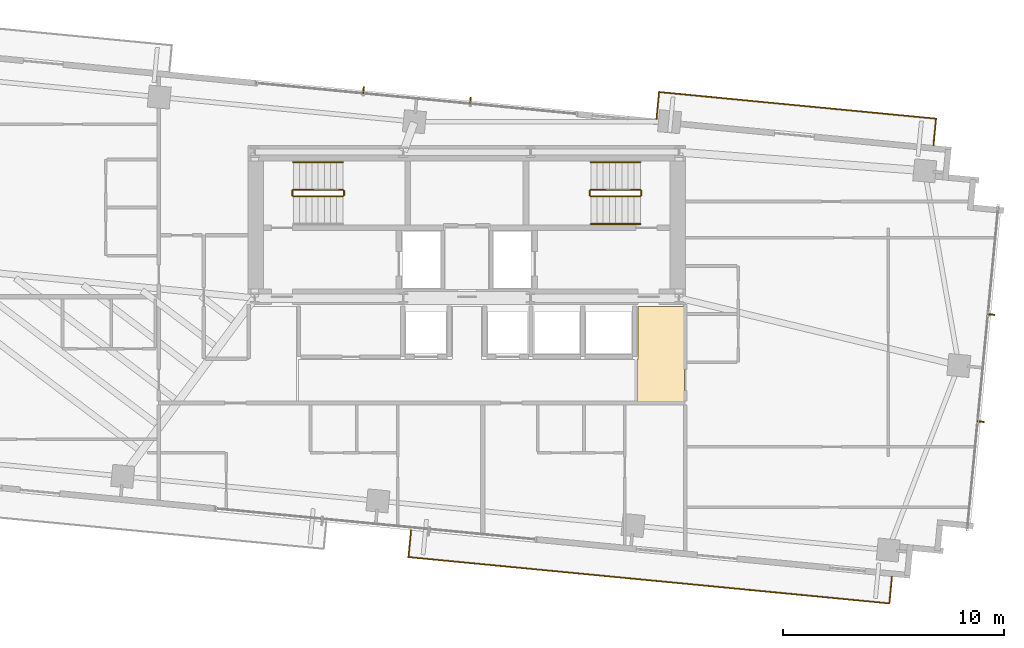
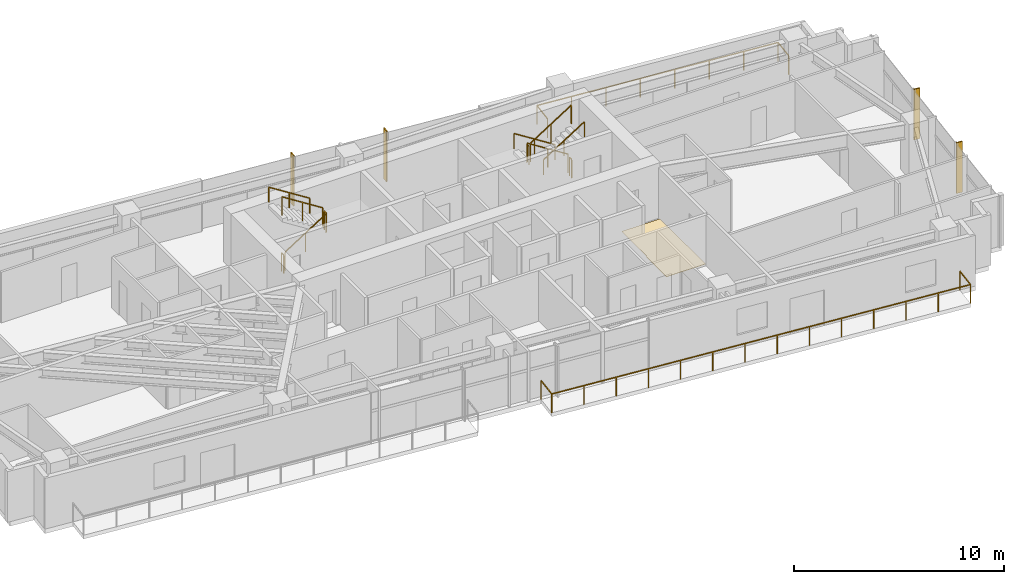
# One storey, part 20 of 20: 13 railings, 4 shading devices, 1 covering.
"""IFC4 building model written with IfcOpenShell, lengths in metres."""

from ifc_helpers import new_model, si_unit, direction, frame, origin, origin_2d, place, context, subcontext, project, spatial, polyline, rectangle, outline, extrude, source, transform, mapped, material, layer, layer_set, type_object, type_shapes, element, save


model = new_model("IFC4")

# Units and contexts
model_context = context("Model", 3, precision=1e-05, world=origin(), true_north=direction((0.0, 1.0)))
body_context = subcontext(model_context, "Body", "Model", "MODEL_VIEW")
ifc_project = project(units=[si_unit("LENGTHUNIT", "METRE"), si_unit("AREAUNIT", "SQUARE_METRE"), si_unit("VOLUMEUNIT", "CUBIC_METRE"), si_unit("PLANEANGLEUNIT", "RADIAN"), si_unit("MASSUNIT", "GRAM", prefix="KILO")], contexts=[model_context])

# Site, building, storey
site_placement = place(None, origin())
site = spatial("IfcSite", under=ifc_project, at=site_placement, CompositionType="ELEMENT")
building_placement = place(site_placement, origin())
building = spatial("IfcBuilding", under=site, at=building_placement, Name="Astriad Promenade Condominiums", CompositionType="ELEMENT")
storey_placement = place(building_placement, frame((0.0, 0.0, 134.199951171875)))
storey = spatial("IfcBuildingStorey", under=building, at=storey_placement, Name="L38", CompositionType="ELEMENT", Elevation=134.199951171875)

# Covering
ifc_material_1 = material(Name="Polished Lakefront Terrazzo Flooring")
ifc_layer = layer(ifc_material_1, 0.02001953125)
ifc_layer_set = layer_set([ifc_layer], Name="Polished Lakefront Terrazzo Flooring")
covering_type = type_object("IfcCoveringType", Name="COV-FLOR-TERRAZZO-20", PredefinedType="FLOORING", material=ifc_layer_set)
covering_placement = place(storey_placement, origin())
element("IfcCovering", 1, at=covering_placement, inside=storey, type_object=covering_type, Name="FLR-L38-COR-1", PredefinedType="FLOORING", context=body_context, shape_type="SweptSolid", body=[
    extrude(outline(polyline([(43.699951171875, 12.68994140625), (43.699951171875, 14.610107421875), (43.703857421875, 14.610107421875), (43.707763671875, 14.61083984375), (43.711669921875, 14.61181640625), (43.71533203125, 14.613037109375), (43.718994140625, 14.61474609375), (43.72216796875, 14.61669921875), (43.725341796875, 14.619140625), (43.728271484375, 14.62158203125), (43.73095703125, 14.62451171875), (43.7333984375, 14.627685546875), (43.7353515625, 14.631103515625), (43.737060546875, 14.634765625), (43.73828125, 14.638427734375), (43.7392578125, 14.64208984375), (43.73974609375, 14.64599609375), (43.739990234375, 14.64990234375), (43.739990234375, 17.010009765625), (45.840087890625, 17.010009765625), (45.840087890625, 12.68994140625), (43.699951171875, 12.68994140625)])), origin(), (0.0, 0.0, 1.0), 0.02001953125),
])

# Shading devices
ifc_material_2 = material(Name="Anodised aluminium 6063-T6 Black Fin", Category="aluminium")
shading_device_type = type_object("IfcShadingDeviceType", Name="FIN-BLACK-260", PredefinedType="USERDEFINED", material=ifc_material_2)
shared_shape_1 = source(origin(), body_context, "Body", "SweptSolid", [
    extrude(rectangle(XDim=0.06494140625, YDim=0.320068359375, at=origin_2d()), origin(), (0.0, 0.0, 1.0), 2.93994140625),
])
type_shapes(shading_device_type, [shared_shape_1])
for number, where, z_axis, x_axis, name in (
    (2, (31.3212890625, 26.7978515625, 0.0), (0.0, 0.0, 1.0), (0.995396198367, -0.09584575252, 0.0), "CW-L38-N-FIN-01"),
    (3, (36.1591796875, 26.331787109375, 0.0), (0.0, 0.0, 1.0), (0.995396198367, -0.09584575252, 0.0), "CW-L38-N-FIN-02"),
    (4, (59.7197265625, 16.652587890625, 0.0), (0.0, 0.0, 1.0), (-0.09584575252, -0.995396198367, 0.0), "CW-L38-E-FIN-01"),
    (5, (59.25341796875, 11.808349609375, 0.0), (0.0, 0.0, 1.0), (-0.09584575252, -0.995396198367, 0.0), "CW-L38-E-FIN-02"),
):
    element("IfcShadingDevice", number, at=place(storey_placement, frame(where, z_axis=z_axis, x_axis=x_axis)), inside=storey, type_object=shading_device_type, Name=name, ObjectType="FIN", PredefinedType="USERDEFINED", context=body_context, shape_type="MappedRepresentation", body=[
        mapped(shared_shape_1, transform((0.0, 0.0, 0.0), scale=1.0)),
    ])

# Railings
ifc_material_3 = material(Name="Laminated Glass and Stainless Steel Balustrade", Category="steel")
railing_type_1 = type_object("IfcRailingType", Name="GRD-BALC-1120", PredefinedType="BALUSTRADE", material=ifc_material_3)
shared_shape_2 = source(origin(), body_context, "Body", "SweptSolid", [
    extrude(rectangle(XDim=0.048095703125, YDim=0.048095703125, at=origin_2d()), frame((0.0, 0.0, 1.09619140625), z_axis=(-0.095876405589, -0.995393246336, 0.0), x_axis=(0.995393246336, -0.095876405589, 0.0)), (0.0, 0.0, 1.0), 1.2197265625),
    extrude(rectangle(XDim=0.048095703125, YDim=0.048095703125, at=origin_2d()), frame((-0.116943359375, -1.214111328125, 1.09619140625), z_axis=(0.995395415331, -0.095853884316, 0.0), x_axis=(0.095853884316, 0.995395415331, 0.0)), (0.0, 0.0, 1.0), 21.865966796875),
    extrude(rectangle(XDim=0.048095703125, YDim=0.048095703125, at=origin_2d()), frame((21.6484375, -3.31005859375, 1.09619140625), z_axis=(0.095857307208, 0.99539508571, 0.0), x_axis=(-0.99539508571, 0.095857307208, 0.0)), (0.0, 0.0, 1.0), 1.219970703125),
    extrude(rectangle(XDim=0.0419921875, YDim=0.0419921875, at=origin_2d()), origin(), (0.0, 0.0, 1.0), 1.072021484375),
    extrude(rectangle(XDim=0.0419921875, YDim=0.0419921875, at=origin_2d()), frame((-0.116943359375, -1.214111328125, 0.0)), (0.0, 0.0, 1.0), 1.072021484375),
    extrude(rectangle(XDim=0.0419921875, YDim=0.0419921875, at=origin_2d()), frame((1.557373046875, -1.375244140625, 0.0)), (0.0, 0.0, 1.0), 1.072021484375),
    extrude(rectangle(XDim=0.0419921875, YDim=0.0419921875, at=origin_2d()), frame((3.231689453125, -1.53662109375, 0.0)), (0.0, 0.0, 1.0), 1.072021484375),
    extrude(rectangle(XDim=0.0419921875, YDim=0.0419921875, at=origin_2d()), frame((4.90576171875, -1.69775390625, 0.0)), (0.0, 0.0, 1.0), 1.072021484375),
    extrude(rectangle(XDim=0.0419921875, YDim=0.0419921875, at=origin_2d()), frame((6.580078125, -1.859130859375, 0.0)), (0.0, 0.0, 1.0), 1.072021484375),
    extrude(rectangle(XDim=0.0419921875, YDim=0.0419921875, at=origin_2d()), frame((8.25439453125, -2.020263671875, 0.0)), (0.0, 0.0, 1.0), 1.072021484375),
    extrude(rectangle(XDim=0.0419921875, YDim=0.0419921875, at=origin_2d()), frame((9.9287109375, -2.181396484375, 0.0)), (0.0, 0.0, 1.0), 1.072021484375),
    extrude(rectangle(XDim=0.0419921875, YDim=0.0419921875, at=origin_2d()), frame((11.602783203125, -2.3427734375, 0.0)), (0.0, 0.0, 1.0), 1.072021484375),
    extrude(rectangle(XDim=0.0419921875, YDim=0.0419921875, at=origin_2d()), frame((13.277099609375, -2.50390625, 0.0)), (0.0, 0.0, 1.0), 1.072021484375),
    extrude(rectangle(XDim=0.0419921875, YDim=0.0419921875, at=origin_2d()), frame((14.951416015625, -2.6650390625, 0.0)), (0.0, 0.0, 1.0), 1.072021484375),
    extrude(rectangle(XDim=0.0419921875, YDim=0.0419921875, at=origin_2d()), frame((16.625732421875, -2.826416015625, 0.0)), (0.0, 0.0, 1.0), 1.072021484375),
    extrude(rectangle(XDim=0.0419921875, YDim=0.0419921875, at=origin_2d()), frame((18.2998046875, -2.987548828125, 0.0)), (0.0, 0.0, 1.0), 1.072021484375),
    extrude(rectangle(XDim=0.0419921875, YDim=0.0419921875, at=origin_2d()), frame((19.97412109375, -3.14892578125, 0.0)), (0.0, 0.0, 1.0), 1.072021484375),
    extrude(rectangle(XDim=0.0419921875, YDim=0.0419921875, at=origin_2d()), frame((21.6484375, -3.31005859375, 0.0)), (0.0, 0.0, 1.0), 1.072021484375),
    extrude(rectangle(XDim=0.0419921875, YDim=0.0419921875, at=origin_2d()), frame((21.765380859375, -2.095703125, 0.0)), (0.0, 0.0, 1.0), 1.072021484375),
])
railing_1_placement = place(storey_placement, frame((33.47119140625, 6.889892578125, 0.0)))
element("IfcRailing", 6, at=railing_1_placement, inside=storey, type_object=railing_type_1, Name="GRD-BALC-L38-SE", PredefinedType="BALUSTRADE", context=body_context, shape_type="MappedRepresentation", body=[
    mapped(shared_shape_2, transform((0.0, 0.0, 0.0), scale=1.0)),
])
shared_shape_3 = source(origin(), body_context, "Body", "SweptSolid", [
    extrude(rectangle(XDim=0.048095703125, YDim=0.048095703125, at=origin_2d()), frame((0.0, 0.0, 1.09619140625), z_axis=(0.095857307208, 0.99539508571, 0.0), x_axis=(-0.99539508571, 0.095857307208, 0.0)), (0.0, 0.0, 1.0), 1.219970703125),
    extrude(rectangle(XDim=0.048095703125, YDim=0.048095703125, at=origin_2d()), frame((0.116943359375, 1.21435546875, 1.09619140625), z_axis=(-0.995394811268, 0.095860157002, 0.0), x_axis=(-0.095860157002, -0.995394811268, 0.0)), (0.0, 0.0, 1.0), 12.59423828125),
    extrude(rectangle(XDim=0.048095703125, YDim=0.048095703125, at=origin_2d()), frame((-12.419189453125, 2.421630859375, 1.09619140625), z_axis=(-0.0958382164, -0.995396923984, 0.0), x_axis=(0.995396923984, -0.0958382164, 0.0)), (0.0, 0.0, 1.0), 1.22021484375),
    extrude(rectangle(XDim=0.0419921875, YDim=0.0419921875, at=origin_2d()), origin(), (0.0, 0.0, 1.0), 1.072021484375),
    extrude(rectangle(XDim=0.0419921875, YDim=0.0419921875, at=origin_2d()), frame((0.116943359375, 1.21435546875, 0.0)), (0.0, 0.0, 1.0), 1.072021484375),
    extrude(rectangle(XDim=0.0419921875, YDim=0.0419921875, at=origin_2d()), frame((-1.673828125, 1.38671875, 0.0)), (0.0, 0.0, 1.0), 1.072021484375),
    extrude(rectangle(XDim=0.0419921875, YDim=0.0419921875, at=origin_2d()), frame((-3.46484375, 1.559326171875, 0.0)), (0.0, 0.0, 1.0), 1.072021484375),
    extrude(rectangle(XDim=0.0419921875, YDim=0.0419921875, at=origin_2d()), frame((-5.255615234375, 1.731689453125, 0.0)), (0.0, 0.0, 1.0), 1.072021484375),
    extrude(rectangle(XDim=0.0419921875, YDim=0.0419921875, at=origin_2d()), frame((-7.046630859375, 1.904296875, 0.0)), (0.0, 0.0, 1.0), 1.072021484375),
    extrude(rectangle(XDim=0.0419921875, YDim=0.0419921875, at=origin_2d()), frame((-8.83740234375, 2.07666015625, 0.0)), (0.0, 0.0, 1.0), 1.072021484375),
    extrude(rectangle(XDim=0.0419921875, YDim=0.0419921875, at=origin_2d()), frame((-10.62841796875, 2.249267578125, 0.0)), (0.0, 0.0, 1.0), 1.072021484375),
    extrude(rectangle(XDim=0.0419921875, YDim=0.0419921875, at=origin_2d()), frame((-12.419189453125, 2.421630859375, 0.0)), (0.0, 0.0, 1.0), 1.072021484375),
    extrude(rectangle(XDim=0.0419921875, YDim=0.0419921875, at=origin_2d()), frame((-12.5361328125, 1.20703125, 0.0)), (0.0, 0.0, 1.0), 1.072021484375),
])
type_shapes(railing_type_1, [shared_shape_2, shared_shape_3])
railing_2_placement = place(storey_placement, frame((57.115234375, 24.303955078125, 0.0)))
element("IfcRailing", 7, at=railing_2_placement, inside=storey, type_object=railing_type_1, Name="GRD-BALC-L38-NE", PredefinedType="BALUSTRADE", context=body_context, shape_type="MappedRepresentation", body=[
    mapped(shared_shape_3, transform((0.0, 0.0, 0.0), scale=1.0)),
])
ifc_material_4 = material(Name="Painted Galvanised Steel Guardrail", Category="steel")
railing_type_2 = type_object("IfcRailingType", Name="GRD-STAIR-1100", PredefinedType="GUARDRAIL", material=ifc_material_4)
shared_shape_4 = source(origin(), body_context, "Body", "SweptSolid", [
    extrude(rectangle(XDim=0.048095703125, YDim=0.048095703125, at=origin_2d()), frame((0.0, 0.0, 1.076171875), z_axis=(0.0, 1.0, 0.0), x_axis=(-1.0, 0.0, 0.0)), (0.0, 0.0, 1.0), 0.199951171875),
    extrude(rectangle(XDim=0.0419921875, YDim=0.0419921875, at=origin_2d()), origin(), (0.0, 0.0, 1.0), 1.052001953125),
    extrude(rectangle(XDim=0.0419921875, YDim=0.0419921875, at=origin_2d()), frame((0.0, 0.199951171875, 0.0)), (0.0, 0.0, 1.0), 1.052001953125),
])
for number, where, name in (
    (8, (30.43994140625, 22.050048828125, 1.60009765625), "L38 ST-1 stair guard 2"),
    (9, (28.10009765625, 22.050048828125, 0.0), "L38 ST-1 stair guard 4"),
):
    element("IfcRailing", number, at=place(storey_placement, frame(where)), inside=storey, type_object=railing_type_2, Name=name, PredefinedType="GUARDRAIL", context=body_context, shape_type="MappedRepresentation", body=[
        mapped(shared_shape_4, transform((0.0, 0.0, 0.0), scale=1.0)),
    ])
shared_shape_5 = source(origin(), body_context, "Body", "SweptSolid", [
    extrude(rectangle(XDim=0.048095703125, YDim=0.048095703125, at=origin_2d()), frame((0.0, 0.0, 1.076171875), z_axis=(0.84418770128, 0.0, 0.536047689118), x_axis=(0.0, 1.0, 0.0)), (0.0, 0.0, 1.0), 2.6533203125),
    extrude(rectangle(XDim=0.0419921875, YDim=0.0419921875, at=origin_2d()), origin(), (0.0, 0.0, 1.0), 1.052001953125),
    extrude(rectangle(XDim=0.0419921875, YDim=0.0419921875, at=origin_2d()), frame((1.1201171875, 0.0, 0.711181640625)), (0.0, 0.0, 1.0), 1.052001953125),
    extrude(rectangle(XDim=0.0419921875, YDim=0.0419921875, at=origin_2d()), frame((2.239990234375, 0.0, 1.42236328125)), (0.0, 0.0, 1.0), 1.052001953125),
])
railing_3_placement = place(storey_placement, frame((28.14990234375, 22.0, 0.177734375)))
element("IfcRailing", 10, at=railing_3_placement, inside=storey, type_object=railing_type_2, Name="L38 ST-1 stair guard 1", PredefinedType="GUARDRAIL", context=body_context, shape_type="MappedRepresentation", body=[
    mapped(shared_shape_5, transform((0.0, 0.0, 0.0), scale=1.0)),
])
shared_shape_6 = source(origin(), body_context, "Body", "SweptSolid", [
    extrude(rectangle(XDim=0.048095703125, YDim=0.048095703125, at=origin_2d()), frame((0.0, 0.0, 1.076171875), z_axis=(-0.8442293374, 0.0, 0.53598211339), x_axis=(0.0, -1.0, 0.0)), (0.0, 0.0, 1.0), 2.6533203125),
    extrude(rectangle(XDim=0.0419921875, YDim=0.0419921875, at=origin_2d()), origin(), (0.0, 0.0, 1.0), 1.052001953125),
    extrude(rectangle(XDim=0.0419921875, YDim=0.0419921875, at=origin_2d()), frame((-1.1201171875, 0.0, 0.7109375)), (0.0, 0.0, 1.0), 1.052001953125),
    extrude(rectangle(XDim=0.0419921875, YDim=0.0419921875, at=origin_2d()), frame((-2.239990234375, 0.0, 1.422119140625)), (0.0, 0.0, 1.0), 1.052001953125),
])
railing_4_placement = place(storey_placement, frame((30.389892578125, 22.300048828125, 1.77783203125)))
element("IfcRailing", 11, at=railing_4_placement, inside=storey, type_object=railing_type_2, Name="L38 ST-1 stair guard 3", PredefinedType="GUARDRAIL", context=body_context, shape_type="MappedRepresentation", body=[
    mapped(shared_shape_6, transform((0.0, 0.0, 0.0), scale=1.0)),
])
ifc_material_5 = material(Name="Brushed Stainless Steel Handrail", Category="steel")
railing_type_3 = type_object("IfcRailingType", Name="HRL-STAIR-920", PredefinedType="HANDRAIL", material=ifc_material_5)
shared_shape_7 = source(origin(), body_context, "Body", "SweptSolid", [
    extrude(rectangle(XDim=0.048095703125, YDim=0.048095703125, at=origin_2d()), frame((0.0, 0.0, 0.8759765625), z_axis=(-0.8442293374, 0.0, 0.53598211339), x_axis=(0.0, -1.0, 0.0)), (0.0, 0.0, 1.0), 2.6533203125),
    extrude(rectangle(XDim=0.0419921875, YDim=0.0419921875, at=origin_2d()), origin(), (0.0, 0.0, 1.0), 0.851806640625),
    extrude(rectangle(XDim=0.0419921875, YDim=0.0419921875, at=origin_2d()), frame((-1.1201171875, 0.0, 0.7109375)), (0.0, 0.0, 1.0), 0.851806640625),
    extrude(rectangle(XDim=0.0419921875, YDim=0.0419921875, at=origin_2d()), frame((-2.239990234375, 0.0, 1.422119140625)), (0.0, 0.0, 1.0), 0.851806640625),
])
railing_5_placement = place(storey_placement, frame((30.389892578125, 23.550048828125, 1.77783203125)))
element("IfcRailing", 12, at=railing_5_placement, inside=storey, type_object=railing_type_3, Name="L38 ST-1 stair handrail 2", PredefinedType="HANDRAIL", context=body_context, shape_type="MappedRepresentation", body=[
    mapped(shared_shape_7, transform((0.0, 0.0, 0.0), scale=1.0)),
])
shared_shape_8 = source(origin(), body_context, "Body", "SweptSolid", [
    extrude(rectangle(XDim=0.048095703125, YDim=0.048095703125, at=origin_2d()), frame((0.0, 0.0, 1.076171875), z_axis=(0.8442293374, 0.0, 0.53598211339), x_axis=(0.0, 1.0, 0.0)), (0.0, 0.0, 1.0), 2.6533203125),
    extrude(rectangle(XDim=0.0419921875, YDim=0.0419921875, at=origin_2d()), origin(), (0.0, 0.0, 1.0), 1.052001953125),
    extrude(rectangle(XDim=0.0419921875, YDim=0.0419921875, at=origin_2d()), frame((1.1201171875, 0.0, 0.7109375)), (0.0, 0.0, 1.0), 1.052001953125),
    extrude(rectangle(XDim=0.0419921875, YDim=0.0419921875, at=origin_2d()), frame((2.239990234375, 0.0, 1.422119140625)), (0.0, 0.0, 1.0), 1.052001953125),
])
railing_6_placement = place(storey_placement, frame((41.610107421875, 22.0, 1.77783203125)))
element("IfcRailing", 13, at=railing_6_placement, inside=storey, type_object=railing_type_2, Name="L38 ST-2 stair guard 3", PredefinedType="GUARDRAIL", context=body_context, shape_type="MappedRepresentation", body=[
    mapped(shared_shape_8, transform((0.0, 0.0, 0.0), scale=1.0)),
])
shared_shape_9 = source(origin(), body_context, "Body", "SweptSolid", [
    extrude(rectangle(XDim=0.048095703125, YDim=0.048095703125, at=origin_2d()), frame((0.0, 0.0, 1.076171875), z_axis=(-0.84418770128, 0.0, 0.536047689118), x_axis=(0.0, -1.0, 0.0)), (0.0, 0.0, 1.0), 2.6533203125),
    extrude(rectangle(XDim=0.0419921875, YDim=0.0419921875, at=origin_2d()), origin(), (0.0, 0.0, 1.0), 1.052001953125),
    extrude(rectangle(XDim=0.0419921875, YDim=0.0419921875, at=origin_2d()), frame((-1.1201171875, 0.0, 0.711181640625)), (0.0, 0.0, 1.0), 1.052001953125),
    extrude(rectangle(XDim=0.0419921875, YDim=0.0419921875, at=origin_2d()), frame((-2.239990234375, 0.0, 1.42236328125)), (0.0, 0.0, 1.0), 1.052001953125),
])
railing_7_placement = place(storey_placement, frame((43.85009765625, 22.300048828125, 0.177734375)))
element("IfcRailing", 14, at=railing_7_placement, inside=storey, type_object=railing_type_2, Name="L38 ST-2 stair guard 1", PredefinedType="GUARDRAIL", context=body_context, shape_type="MappedRepresentation", body=[
    mapped(shared_shape_9, transform((0.0, 0.0, 0.0), scale=1.0)),
])
shared_shape_10 = source(origin(), body_context, "Body", "SweptSolid", [
    extrude(rectangle(XDim=0.048095703125, YDim=0.048095703125, at=origin_2d()), frame((0.0, 0.0, 0.8759765625), z_axis=(0.8442293374, 0.0, 0.53598211339), x_axis=(0.0, 1.0, 0.0)), (0.0, 0.0, 1.0), 2.6533203125),
    extrude(rectangle(XDim=0.0419921875, YDim=0.0419921875, at=origin_2d()), origin(), (0.0, 0.0, 1.0), 0.851806640625),
    extrude(rectangle(XDim=0.0419921875, YDim=0.0419921875, at=origin_2d()), frame((1.1201171875, 0.0, 0.7109375)), (0.0, 0.0, 1.0), 0.851806640625),
    extrude(rectangle(XDim=0.0419921875, YDim=0.0419921875, at=origin_2d()), frame((2.239990234375, 0.0, 1.422119140625)), (0.0, 0.0, 1.0), 0.851806640625),
])
railing_8_placement = place(storey_placement, frame((41.610107421875, 20.75, 1.77783203125)))
element("IfcRailing", 15, at=railing_8_placement, inside=storey, type_object=railing_type_3, Name="L38 ST-2 stair handrail 2", PredefinedType="HANDRAIL", context=body_context, shape_type="MappedRepresentation", body=[
    mapped(shared_shape_10, transform((0.0, 0.0, 0.0), scale=1.0)),
])
shared_shape_11 = source(origin(), body_context, "Body", "SweptSolid", [
    extrude(rectangle(XDim=0.048095703125, YDim=0.048095703125, at=origin_2d()), frame((0.0, 0.0, 0.8759765625), z_axis=(-0.84418770128, 0.0, 0.536047689118), x_axis=(0.0, -1.0, 0.0)), (0.0, 0.0, 1.0), 2.6533203125),
    extrude(rectangle(XDim=0.0419921875, YDim=0.0419921875, at=origin_2d()), origin(), (0.0, 0.0, 1.0), 0.851806640625),
    extrude(rectangle(XDim=0.0419921875, YDim=0.0419921875, at=origin_2d()), frame((-1.1201171875, 0.0, 0.711181640625)), (0.0, 0.0, 1.0), 0.851806640625),
    extrude(rectangle(XDim=0.0419921875, YDim=0.0419921875, at=origin_2d()), frame((-2.239990234375, 0.0, 1.42236328125)), (0.0, 0.0, 1.0), 0.851806640625),
])
type_shapes(railing_type_3, [shared_shape_7, shared_shape_10, shared_shape_11])
railing_9_placement = place(storey_placement, frame((43.85009765625, 23.550048828125, 0.177734375)))
element("IfcRailing", 16, at=railing_9_placement, inside=storey, type_object=railing_type_3, Name="L38 ST-2 stair handrail 1", PredefinedType="HANDRAIL", context=body_context, shape_type="MappedRepresentation", body=[
    mapped(shared_shape_11, transform((0.0, 0.0, 0.0), scale=1.0)),
])
shared_shape_12 = source(origin(), body_context, "Body", "SweptSolid", [
    extrude(rectangle(XDim=0.048095703125, YDim=0.048095703125, at=origin_2d()), frame((0.0, 0.0, 1.076171875), z_axis=(0.0, -1.0, 0.0), x_axis=(1.0, 0.0, 0.0)), (0.0, 0.0, 1.0), 0.199951171875),
    extrude(rectangle(XDim=0.0419921875, YDim=0.0419921875, at=origin_2d()), origin(), (0.0, 0.0, 1.0), 1.052001953125),
    extrude(rectangle(XDim=0.0419921875, YDim=0.0419921875, at=origin_2d()), frame((0.0, -0.199951171875, 0.0)), (0.0, 0.0, 1.0), 1.052001953125),
])
type_shapes(railing_type_2, [shared_shape_4, shared_shape_5, shared_shape_6, shared_shape_8, shared_shape_9, shared_shape_12])
for number, where, name in (
    (17, (41.56005859375, 22.25, 1.60009765625), "L38 ST-2 stair guard 2"),
    (18, (43.89990234375, 22.25, 0.0), "L38 ST-2 stair guard 4"),
):
    element("IfcRailing", number, at=place(storey_placement, frame(where)), inside=storey, type_object=railing_type_2, Name=name, PredefinedType="GUARDRAIL", context=body_context, shape_type="MappedRepresentation", body=[
        mapped(shared_shape_12, transform((0.0, 0.0, 0.0), scale=1.0)),
    ])

save(model, "model.ifc")
